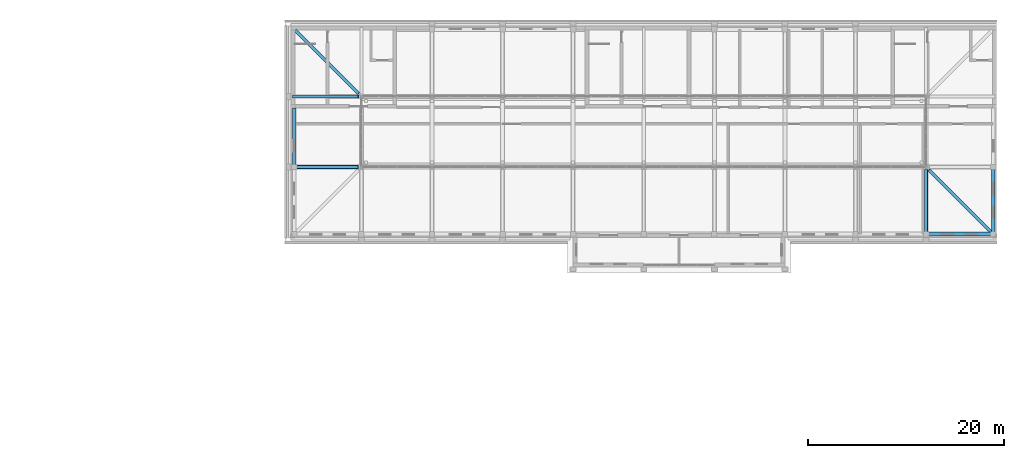
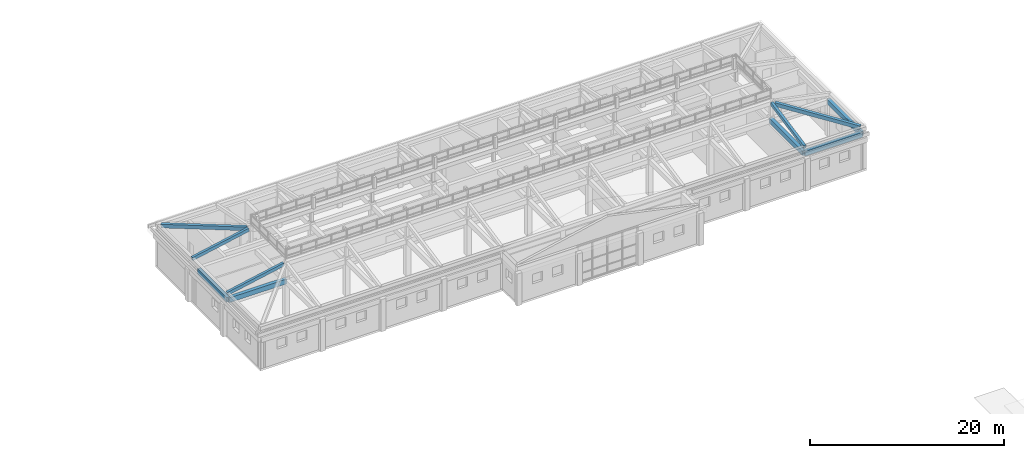
# One storey, part 13 of 48: 10 beams.
"""IFC4 building model written with IfcOpenShell, lengths in metres."""

from ifc_helpers import new_model, si_unit, direction, frame, origin, origin_2d, place, context, subcontext, project, spatial, rectangle, extrude, material, material_profile, profile_set, type_object, element, save


model = new_model("IFC4")

# Units and contexts
model_context = context("Model", 3, precision=1e-05, world=origin(), true_north=direction((0.0, 1.0)))
body_context = subcontext(model_context, "Body", "Model", "MODEL_VIEW")
ifc_project = project(units=[si_unit("LENGTHUNIT", "METRE"), si_unit("AREAUNIT", "SQUARE_METRE"), si_unit("VOLUMEUNIT", "CUBIC_METRE"), si_unit("PLANEANGLEUNIT", "RADIAN"), si_unit("MASSUNIT", "GRAM", prefix="KILO")], contexts=[model_context])

# Site, building, storey
site_placement = place(None, origin())
site = spatial("IfcSite", under=ifc_project, at=site_placement, CompositionType="ELEMENT")
building_placement = place(site_placement, origin())
building = spatial("IfcBuilding", under=site, at=building_placement, Name="Alderwick Market Hall", CompositionType="ELEMENT")
storey_placement = place(building_placement, frame((0.0, 0.0, 14.39990234375)))
storey = spatial("IfcBuildingStorey", under=building, at=storey_placement, Name="L02", CompositionType="ELEMENT", Elevation=14.39990234375)

# Beams
ifc_material = material(Name="Concrete 5000 psi (f'c 35 MPa)", Category="concrete")
ifc_material_profile_1 = material_profile(ifc_material, rectangle(XDim=0.39990234375, YDim=0.60009765625, at=origin_2d()), Name="RC 400x600")
ifc_profile_set_1 = profile_set([ifc_material_profile_1], Name="Concrete 5000 psi (f'c 35 MPa)")
beam_type_1 = type_object("IfcBeamType", Name="F Floor Beam RC 400x600", PredefinedType="BEAM", material=ifc_profile_set_1)
for number, where, z_axis, x_axis, name in (
    (1, (223.199951171875, 129.949951171875, 4.25), (1.0, 0.0, 0.0), (0.0, 1.0, 0.0), "F.beam.L02.010"),
    (2, (158.75, 136.800048828125, 4.25), (1.0, 0.0, 0.0), (0.0, 1.0, 0.0), "F.beam.L02.011"),
):
    element("IfcBeam", number, at=place(storey_placement, frame(where, z_axis=z_axis, x_axis=x_axis)), inside=storey, type_object=beam_type_1, Name=name, PredefinedType="BEAM", context=body_context, shape_type="SweptSolid", body=[
        extrude(rectangle(XDim=0.39990234375, YDim=0.60009765625, at=origin_2d()), origin(), (0.0, 0.0, 1.0), 6.85009765625),
    ])
beam_1_placement = place(storey_placement, frame((158.75, 136.800048828125, 4.25), z_axis=(0.0, 1.0, 0.0), x_axis=(-1.0, 0.0, 0.0)))
element("IfcBeam", 3, at=beam_1_placement, inside=storey, type_object=beam_type_1, Name="F.beam.L02.038", PredefinedType="BEAM", context=body_context, shape_type="SweptSolid", body=[
    extrude(rectangle(XDim=0.39990234375, YDim=0.60009765625, at=origin_2d()), origin(), (0.0, 0.0, 1.0), 6.0009765625),
])
for number, where, z_axis, x_axis, name in (
    (4, (223.199951171875, 129.949951171875, 4.25), (0.0, 1.0, 0.0), (-1.0, 0.0, 0.0), "F.beam.L02.061"),
    (5, (230.050048828125, 129.949951171875, 4.25), (0.0, 1.0, 0.0), (-1.0, 0.0, 0.0), "F.beam.L02.063"),
):
    element("IfcBeam", number, at=place(storey_placement, frame(where, z_axis=z_axis, x_axis=x_axis)), inside=storey, type_object=beam_type_1, Name=name, PredefinedType="BEAM", context=body_context, shape_type="SweptSolid", body=[
        extrude(rectangle(XDim=0.39990234375, YDim=0.60009765625, at=origin_2d()), origin(), (0.0, 0.0, 1.0), 6.85009765625),
    ])
ifc_material_profile_2 = material_profile(ifc_material, rectangle(XDim=0.35009765625, YDim=0.449951171875, at=origin_2d()), Name="RC 350x450")
ifc_profile_set_2 = profile_set([ifc_material_profile_2], Name="Concrete 5000 psi (f'c 35 MPa)")
beam_type_2 = type_object("IfcBeamType", Name="F Hip Rafter RC 350x450", PredefinedType="BEAM", material=ifc_profile_set_2)
for number, where, z_axis, x_axis, name in (
    (6, (229.949951171875, 130.050048828125, 5.083251953125), (-0.700045684976, 0.700045684976, 0.140968357775), (-0.707106781187, -0.707106781187, 0.0), "F.rafter.L02.024"),
    (7, (158.85009765625, 150.75, 5.083251953125), (0.700045684976, -0.700045684976, 0.140968357775), (0.707106781187, 0.707106781187, 0.0), "F.rafter.L02.025"),
):
    element("IfcBeam", number, at=place(storey_placement, frame(where, z_axis=z_axis, x_axis=x_axis)), inside=storey, type_object=beam_type_2, Name=name, PredefinedType="BEAM", context=body_context, shape_type="SweptSolid", body=[
        extrude(rectangle(XDim=0.35009765625, YDim=0.449951171875, at=origin_2d()), origin(), (0.0, 0.0, 1.0), 9.213623046875),
    ])
ifc_material_profile_3 = material_profile(ifc_material, rectangle(XDim=0.300048828125, YDim=0.39990234375, at=origin_2d()), Name="RC 300x400")
ifc_profile_set_3 = profile_set([ifc_material_profile_3], Name="Concrete 5000 psi (f'c 35 MPa)")
beam_type_3 = type_object("IfcBeamType", Name="F Rafter RC 300x400", PredefinedType="BEAM", material=ifc_profile_set_3)
beam_2_placement = place(storey_placement, frame((223.199951171875, 129.800048828125, 5.08642578125), z_axis=(0.0, 0.980319904111, 0.197415515103), x_axis=(-1.0, 0.0, 0.0)))
element("IfcBeam", 8, at=beam_2_placement, inside=storey, type_object=beam_type_3, Name="F.rafter.L02.017", PredefinedType="BEAM", context=body_context, shape_type="SweptSolid", body=[
    extrude(rectangle(XDim=0.300048828125, YDim=0.39990234375, at=origin_2d()), origin(), (0.0, 0.0, 1.0), 6.9365234375),
])
for number, where, z_axis, x_axis, name in (
    (9, (158.60009765625, 136.800048828125, 5.08642578125), (0.98031599617, 0.0, 0.197434920046), (0.0, 1.0, 0.0), "F.rafter.L02.019"),
    (10, (158.60009765625, 144.0, 5.08642578125), (0.98031599617, 0.0, 0.197434920046), (0.0, 1.0, 0.0), "F.rafter.L02.021"),
):
    element("IfcBeam", number, at=place(storey_placement, frame(where, z_axis=z_axis, x_axis=x_axis)), inside=storey, type_object=beam_type_3, Name=name, PredefinedType="BEAM", context=body_context, shape_type="SweptSolid", body=[
        extrude(rectangle(XDim=0.300048828125, YDim=0.39990234375, at=origin_2d()), origin(), (0.0, 0.0, 1.0), 6.83447265625),
    ])

save(model, "model.ifc")
